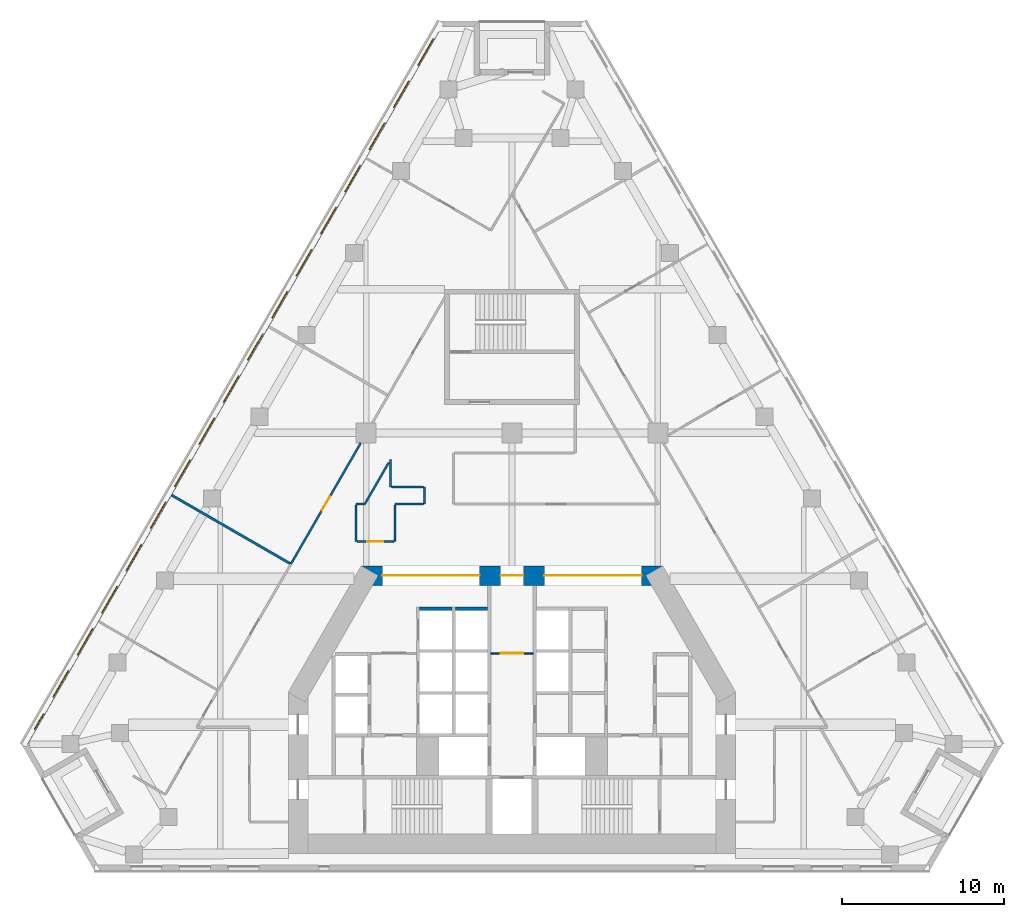
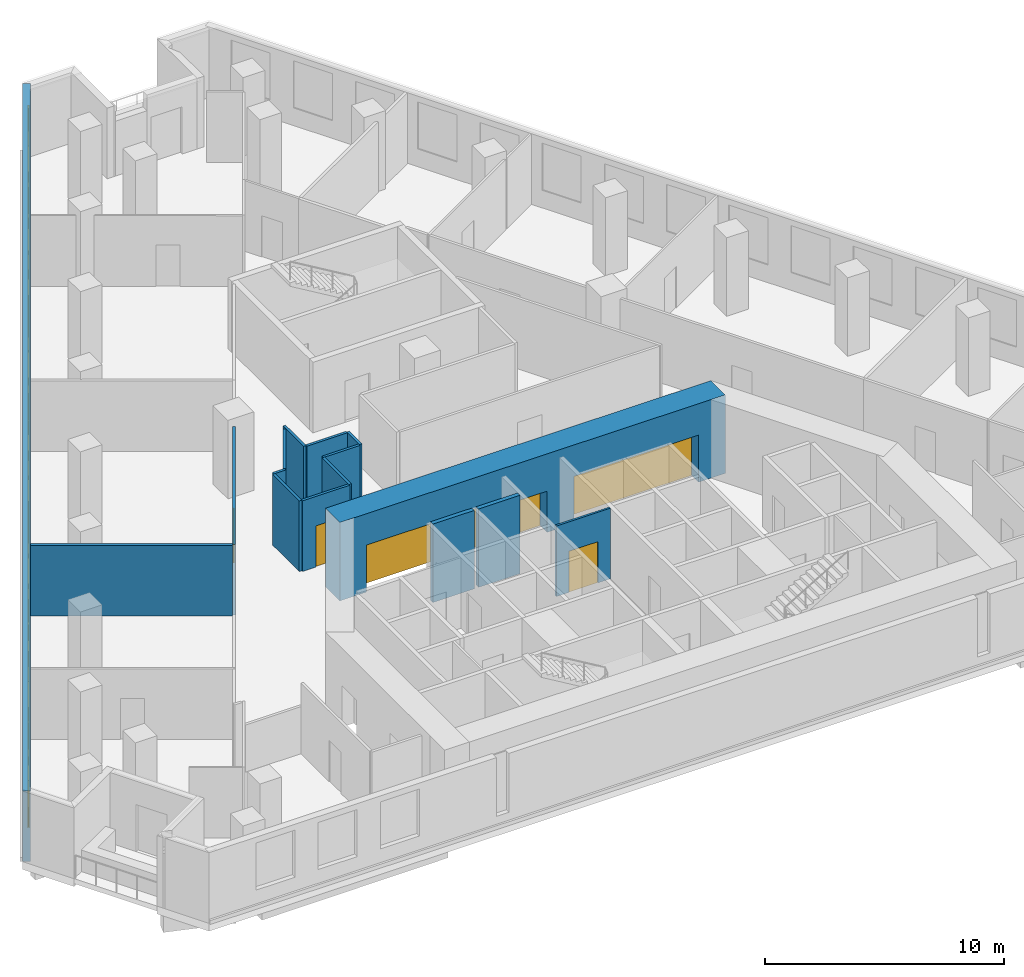
# One storey, part 5 of 10: 17 windows, 16 walls, 6 doors, 23 openings.
"""IFC4 building model written with IfcOpenShell, lengths in metres."""

import ifcopenshell
import ifcopenshell.guid

model = None  # the IFC model being written
_history = None  # IfcOwnerHistory: only IFC2X3 demands one
_inside = {}  # id of a spatial element -> (the spatial element, [elements in it])
_under = {}  # id of a project, library or spatial element -> (it, [spatial elements below it])
_declared = {}  # id of a project -> (the project, [libraries it declares])
_typed = {}  # id of a type object -> (the type object, [elements of that type])
_made_of = {}  # id of a material, layer set ... -> (it, [elements and type objects made of it])


def new_model(schema):
    """Start an empty IFC model of exactly this schema.

    Asked for "IFC4X3", IfcOpenShell would pick the latest addendum, in which some entities
    have other attributes; the version numbers below select the first issue.
    IFC2X3 requires an IfcOwnerHistory on every rooted entity: one is made here for all.
    """
    global model, _history
    if schema == "IFC4X3":
        model = ifcopenshell.file(schema_version=(4, 3, 0, 0))
    else:
        model = ifcopenshell.file(schema=schema)
    _inside.clear()
    _under.clear()
    _declared.clear()
    _typed.clear()
    _made_of.clear()
    _history = None
    if model.schema == "IFC2X3":
        org = make("IfcOrganization", Name="unknown")
        user = make(
            "IfcPersonAndOrganization",
            ThePerson=make("IfcPerson", FamilyName="unknown"),
            TheOrganization=org,
        )
        app = make(
            "IfcApplication",
            ApplicationDeveloper=org,
            Version="unknown",
            ApplicationFullName="unknown",
            ApplicationIdentifier="unknown",
        )
        _history = make(
            "IfcOwnerHistory",
            OwningUser=user,
            OwningApplication=app,
            ChangeAction="ADDED",
            CreationDate=0,
        )
    return model


def make(cls, **values):
    """One entity of the class cls with the attributes given. An attribute that is None is left unset."""
    return model.create_entity(
        cls, **{name: value for name, value in values.items() if value is not None}
    )


def rooted(cls, **values):
    """An entity with a GlobalId (a new one), such as an element, a storey or a relation."""
    return make(cls, GlobalId=ifcopenshell.guid.new(), OwnerHistory=_history, **values)


def si_unit(unit_type, name, prefix=None):
    """IfcSIUnit, for example si_unit("LENGTHUNIT", "METRE", prefix="MILLI")."""
    return make("IfcSIUnit", UnitType=unit_type, Prefix=prefix, Name=name)


def assignment(units):
    """IfcUnitAssignment: the units of a project."""
    return None if units is None else make("IfcUnitAssignment", Units=units)


def point(xyz):
    """IfcCartesianPoint."""
    return None if xyz is None else make("IfcCartesianPoint", Coordinates=xyz)


def direction(xyz):
    """IfcDirection."""
    return None if xyz is None else make("IfcDirection", DirectionRatios=xyz)


def frame(location, z_axis=None, x_axis=None):
    """IfcAxis2Placement3D, a coordinate frame: its origin and axes. An axis left out is left unset."""
    return make(
        "IfcAxis2Placement3D",
        Location=point(location),
        Axis=direction(z_axis),
        RefDirection=direction(x_axis),
    )


def frame_2d(location, x_axis=None):
    """IfcAxis2Placement2D, a coordinate frame in the plane: its origin and x axis."""
    return make(
        "IfcAxis2Placement2D", Location=point(location), RefDirection=direction(x_axis)
    )


def origin():
    """The frame at (0, 0, 0) with its axes left unset."""
    return frame((0.0, 0.0, 0.0))


def place(relative_to, where):
    """IfcLocalPlacement: puts the frame where relative to a parent placement (None: the world)."""
    return make(
        "IfcLocalPlacement", PlacementRelTo=relative_to, RelativePlacement=where
    )


def context(
    kind, dimensions, precision=None, world=None, true_north=None, identifier=None
):
    """IfcGeometricRepresentationContext, for example the 3D "Model" context."""
    return make(
        "IfcGeometricRepresentationContext",
        ContextIdentifier=identifier,
        ContextType=kind,
        CoordinateSpaceDimension=dimensions,
        Precision=precision,
        WorldCoordinateSystem=world,
        TrueNorth=true_north,
    )


def subcontext(parent, identifier, kind, view, scale=None):
    """IfcGeometricRepresentationSubContext, for example "Body" below "Model"."""
    return make(
        "IfcGeometricRepresentationSubContext",
        ContextIdentifier=identifier,
        ContextType=kind,
        ParentContext=parent,
        TargetScale=scale,
        TargetView=view,
    )


def project(units=None, contexts=None):
    """IfcProject with its units and contexts."""
    return rooted(
        "IfcProject",
        Name="project",
        RepresentationContexts=contexts,
        UnitsInContext=assignment(units),
    )


def spatial(cls, under=None, at=None, **own):
    """A site, building, storey or space (cls), placed at a placement, below another one or the project."""
    s = rooted(cls, ObjectPlacement=at, **own)
    if under is not None:
        _under.setdefault(under.id(), (under, []))[1].append(s)
    return s


def profile(cls, at=None, kind="AREA", **sizes):
    """A parametric profile (cls). Its sizes go by their IFC names, for example OverallWidth=200.0."""
    return make(cls, ProfileType=kind, Position=at, **sizes)


def rectangle(**sizes):
    """IfcRectangleProfileDef."""
    return profile("IfcRectangleProfileDef", **sizes)


def extrude(swept, where, along, depth):
    """IfcExtrudedAreaSolid: the profile swept, set in the frame where, extruded along a direction by depth."""
    return make(
        "IfcExtrudedAreaSolid",
        SweptArea=swept,
        Position=where,
        ExtrudedDirection=direction(along),
        Depth=depth,
    )


def shape(context_of_items, identifier, shape_type, items):
    """IfcShapeRepresentation: the items that make up one representation, for example the "Body"."""
    return make(
        "IfcShapeRepresentation",
        ContextOfItems=context_of_items,
        RepresentationIdentifier=identifier,
        RepresentationType=shape_type,
        Items=items,
    )


def material(Name=None, Category=None):
    """IfcMaterial."""
    return make("IfcMaterial", Name=Name, Category=Category)


def layer(
    of_material, thickness, ventilated=None, Name=None, Category=None, Priority=None
):
    """IfcMaterialLayer: one layer of a wall or slab, of a material (None: an air gap)."""
    return make(
        "IfcMaterialLayer",
        Material=of_material,
        LayerThickness=thickness,
        IsVentilated=ventilated,
        Name=Name,
        Category=Category,
        Priority=Priority,
    )


def layer_set(layers, Name=None):
    """IfcMaterialLayerSet."""
    return make("IfcMaterialLayerSet", MaterialLayers=layers, LayerSetName=Name)


def made_of(thing, what):
    """Note that an element or type object is made of a material, layer set ...; save() writes the relation."""
    if what is not None:
        _made_of.setdefault(what.id(), (what, []))[1].append(thing)
    return thing


def type_object(cls, material=None, **own):
    """A type object (cls), such as IfcWallType, which elements share."""
    return made_of(rooted(cls, **own), material)


def element(
    cls,
    number,
    at=None,
    inside=None,
    cuts=None,
    type_object=None,
    material=None,
    context=None,
    identifier="Body",
    shape_type=None,
    held_by="IfcProductDefinitionShape",
    body=None,
    shapes=None,
    **own,
):
    """One element of the class cls, such as IfcWall. Its Tag is "e" and its number.

    at: its placement. inside: the storey or other place that contains it. cuts: it is an
    opening in that element (IfcRelVoidsElement). A single representation is given by context,
    identifier, shape_type and body (its items); several are given by shapes. held_by: the class
    of the entity that holds the representations. save() writes the other relations.
    """
    e = rooted(cls, Tag="e%d" % number, ObjectPlacement=at, **own)
    if body is not None:
        shapes = [shape(context, identifier, shape_type, body)]
    if shapes is not None:
        e.Representation = make(held_by, Representations=shapes)
    if inside is not None:
        _inside.setdefault(inside.id(), (inside, []))[1].append(e)
    if cuts is not None:
        rooted(
            "IfcRelVoidsElement", RelatingBuildingElement=cuts, RelatedOpeningElement=e
        )
    if type_object is not None:
        _typed.setdefault(type_object.id(), (type_object, []))[1].append(e)
    return made_of(e, material)


def fill(opening, filler):
    """IfcRelFillsElement: the door or window that sits in an opening."""
    return rooted(
        "IfcRelFillsElement",
        RelatingOpeningElement=opening,
        RelatedBuildingElement=filler,
    )


def aggregate(whole, parts):
    """IfcRelAggregates: a whole, such as a stair, and the parts it consists of."""
    return rooted("IfcRelAggregates", RelatingObject=whole, RelatedObjects=parts)


def save(model, path):
    """Write the relations noted so far, then the file.

    IfcRelAggregates (storeys below a building ...), IfcRelContainedInSpatialStructure (elements
    in a storey), IfcRelDefinesByType, IfcRelAssociatesMaterial and IfcRelDeclares: one each for
    every whole, place, type object, material and project.
    """
    for whole, parts in _under.values():
        aggregate(whole, parts)
    for where, things in _inside.values():
        rooted(
            "IfcRelContainedInSpatialStructure",
            RelatedElements=things,
            RelatingStructure=where,
        )
    for kind, things in _typed.values():
        rooted("IfcRelDefinesByType", RelatedObjects=things, RelatingType=kind)
    for what, things in _made_of.values():
        rooted("IfcRelAssociatesMaterial", RelatedObjects=things, RelatingMaterial=what)
    for by, libraries in _declared.values():
        rooted("IfcRelDeclares", RelatingContext=by, RelatedDefinitions=libraries)
    model.write(path)


model = new_model("IFC4")

# Units and contexts
model_context = context("Model", 3, precision=1e-05, world=origin(), true_north=direction((0.0, 1.0)))
body_context = subcontext(model_context, "Body", "Model", "MODEL_VIEW")
ifc_project = project(units=[si_unit("LENGTHUNIT", "METRE"), si_unit("AREAUNIT", "SQUARE_METRE"), si_unit("VOLUMEUNIT", "CUBIC_METRE"), si_unit("PLANEANGLEUNIT", "RADIAN"), si_unit("MASSUNIT", "GRAM", prefix="KILO")], contexts=[model_context])

# Site, building, storey
site_placement = place(None, origin())
site = spatial("IfcSite", under=ifc_project, at=site_placement, CompositionType="ELEMENT")
building_placement = place(site_placement, origin())
building = spatial("IfcBuilding", under=site, at=building_placement, Name="Fogline Exchange Tower", CompositionType="ELEMENT")
storey_placement = place(building_placement, frame((0.0, 0.0, 116.10009765625)))
storey = spatial("IfcBuildingStorey", under=building, at=storey_placement, Name="L25", CompositionType="ELEMENT", Elevation=116.10009765625)

# Wall, opening, door
ifc_material_1 = material(Name="Blockwork partition", Category="masonry")
ifc_layer_1 = layer(ifc_material_1, 0.10009765625)
ifc_layer_set_1 = layer_set([ifc_layer_1], Name="CW10")
wall_type_1 = type_object("IfcWallType", Name="CW10", PredefinedType="PARTITIONING", material=ifc_layer_set_1)
wall_1_placement = place(storey_placement, frame((-1.300048828125, 13.39990234375, 0.0), z_axis=(0.0, 0.0, 1.0), x_axis=(1.0, 0.0, 0.0)))
wall_1 = element("IfcWall", 1, at=wall_1_placement, inside=storey, type_object=wall_type_1, Name="Lift lobby partition", PredefinedType="PARTITIONING", context=body_context, shape_type="SweptSolid", body=[
    extrude(rectangle(XDim=2.60009765625, YDim=0.10009765625, at=frame_2d((1.300048828125, 0.0))), origin(), (0.0, 0.0, 1.0), 3.599853515625),
])
opening_1_placement = place(wall_1_placement, frame((0.60009765625, 0.0, 0.0)))
opening_1 = element("IfcOpeningElement", 2, at=opening_1_placement, cuts=wall_1, Name="Opening T07-C018", PredefinedType="OPENING", context=body_context, shape_type="SweptSolid", body=[
    extrude(rectangle(XDim=1.39990234375, YDim=2.10009765625, at=frame_2d((0.699951171875, 1.050048828125))), frame((0.0, 0.06005859375, 0.0), z_axis=(0.0, -1.0, 0.0), x_axis=(1.0, 0.0, 0.0)), (0.0, 0.0, 1.0), 0.1201171875),
])
ifc_material_2 = material(Name="Steel and timber fire door", Category="steel")
door_type_1 = type_object("IfcDoorType", Name="D-LB1", OperationType="DOUBLE_DOOR_SINGLE_SWING", PredefinedType="DOOR", material=ifc_material_2)
door_1_placement = place(opening_1_placement, origin())
door_1 = element("IfcDoor", 3, at=door_1_placement, inside=storey, type_object=door_type_1, Name="Door to firefighting lift lobby", OperationType="DOUBLE_DOOR_SINGLE_SWING", OverallHeight=2.10009765625, OverallWidth=1.39990234375, PredefinedType="DOOR", context=body_context, shape_type="SweptSolid", body=[
    extrude(rectangle(XDim=1.39990234375, YDim=2.10009765625, at=frame_2d((0.699951171875, 1.050048828125))), frame((0.0, 0.02490234375, 0.0), z_axis=(0.0, -1.0, 0.0), x_axis=(1.0, 0.0, 0.0)), (0.0, 0.0, 1.0), 0.050048828125),
])
fill(opening_1, door_1)

# Walls
ifc_material_3 = material(Name="Concrete C40", Category="concrete")
ifc_layer_2 = layer(ifc_material_3, 0.199951171875)
ifc_layer_set_2 = layer_set([ifc_layer_2], Name="CW20S")
wall_type_2 = type_object("IfcWallType", Name="CW20S", PredefinedType="SOLIDWALL", material=ifc_layer_set_2)
for number, where, z_axis, x_axis, name in (
    (4, (-5.699951171875, 16.14990234375, -0.400146484375), (0.0, 0.0, 1.0), (1.0, 0.0, 0.0), "Lift shaft wall"),
    (5, (-3.5, 16.14990234375, -0.400146484375), (0.0, 0.0, 1.0), (1.0, 0.0, 0.0), "Lift shaft wall"),
):
    element("IfcWall", number, at=place(storey_placement, frame(where, z_axis=z_axis, x_axis=x_axis)), inside=storey, type_object=wall_type_2, Name=name, PredefinedType="SOLIDWALL", context=body_context, shape_type="SweptSolid", body=[
        extrude(rectangle(XDim=2.0, YDim=0.199951171875, at=frame_2d((1.0, 0.0))), origin(), (0.0, 0.0, 1.0), 4.0),
    ])

# Wall, openings, windows
ifc_material_4 = material(Name="Brick masonry", Category="masonry")
ifc_layer_3 = layer(ifc_material_4, 0.340087890625)
ifc_layer_set_3 = layer_set([ifc_layer_3], Name="FW1")
wall_type_3 = type_object("IfcWallType", Name="FW1", PredefinedType="SOLIDWALL", material=ifc_layer_set_3)
wall_2_placement = place(storey_placement, frame((-4.352783203125, 52.336669921875, 0.0), z_axis=(0.0, 0.0, 1.0), x_axis=(-0.49999941333, -0.866025742498, 0.0)))
wall_2 = element("IfcWall", 6, at=wall_2_placement, inside=storey, type_object=wall_type_3, Name="Brick wall L25 W", PredefinedType="SOLIDWALL", context=body_context, shape_type="SweptSolid", body=[
    extrude(rectangle(XDim=51.53125, YDim=0.340087890625, at=frame_2d((25.765625, 0.0))), origin(), (0.0, 0.0, 1.0), 3.599853515625),
])
opening_2_placement = place(wall_2_placement, frame((1.1484375, 0.0, 0.89990234375)))
opening_2 = element("IfcOpeningElement", 7, at=opening_2_placement, cuts=wall_2, Name="Opening W1", PredefinedType="OPENING", context=body_context, shape_type="SweptSolid", body=[
    extrude(rectangle(XDim=1.885009765625, YDim=2.39990234375, at=frame_2d((0.9423828125, 1.199951171875))), frame((0.0, 0.18017578125, 0.0), z_axis=(0.0, -1.0, 0.0), x_axis=(1.0, 0.0, 0.0)), (0.0, 0.0, 1.0), 0.360107421875),
])
opening_3_placement = place(wall_2_placement, frame((4.1484375, 0.0, 0.89990234375)))
opening_3 = element("IfcOpeningElement", 8, at=opening_3_placement, cuts=wall_2, Name="Opening W1", PredefinedType="OPENING", context=body_context, shape_type="SweptSolid", body=[
    extrude(rectangle(XDim=1.885009765625, YDim=2.39990234375, at=frame_2d((0.9423828125, 1.199951171875))), frame((0.0, 0.18017578125, 0.0), z_axis=(0.0, -1.0, 0.0), x_axis=(1.0, 0.0, 0.0)), (0.0, 0.0, 1.0), 0.360107421875),
])
opening_4_placement = place(wall_2_placement, frame((7.1484375, 0.0, 0.89990234375)))
opening_4 = element("IfcOpeningElement", 9, at=opening_4_placement, cuts=wall_2, Name="Opening W1", PredefinedType="OPENING", context=body_context, shape_type="SweptSolid", body=[
    extrude(rectangle(XDim=1.885009765625, YDim=2.39990234375, at=frame_2d((0.9423828125, 1.199951171875))), frame((0.0, 0.18017578125, 0.0), z_axis=(0.0, -1.0, 0.0), x_axis=(1.0, 0.0, 0.0)), (0.0, 0.0, 1.0), 0.360107421875),
])
opening_5_placement = place(wall_2_placement, frame((10.1484375, 0.0, 0.89990234375)))
opening_5 = element("IfcOpeningElement", 10, at=opening_5_placement, cuts=wall_2, Name="Opening W1", PredefinedType="OPENING", context=body_context, shape_type="SweptSolid", body=[
    extrude(rectangle(XDim=1.885009765625, YDim=2.39990234375, at=frame_2d((0.9423828125, 1.199951171875))), frame((0.0, 0.18017578125, 0.0), z_axis=(0.0, -1.0, 0.0), x_axis=(1.0, 0.0, 0.0)), (0.0, 0.0, 1.0), 0.360107421875),
])
opening_6_placement = place(wall_2_placement, frame((13.1484375, 0.0, 0.89990234375)))
opening_6 = element("IfcOpeningElement", 11, at=opening_6_placement, cuts=wall_2, Name="Opening W1", PredefinedType="OPENING", context=body_context, shape_type="SweptSolid", body=[
    extrude(rectangle(XDim=1.885009765625, YDim=2.39990234375, at=frame_2d((0.9423828125, 1.199951171875))), frame((0.0, 0.18017578125, 0.0), z_axis=(0.0, -1.0, 0.0), x_axis=(1.0, 0.0, 0.0)), (0.0, 0.0, 1.0), 0.360107421875),
])
opening_7_placement = place(wall_2_placement, frame((16.1484375, 0.0, 0.89990234375)))
opening_7 = element("IfcOpeningElement", 12, at=opening_7_placement, cuts=wall_2, Name="Opening W1", PredefinedType="OPENING", context=body_context, shape_type="SweptSolid", body=[
    extrude(rectangle(XDim=1.885009765625, YDim=2.39990234375, at=frame_2d((0.9423828125, 1.199951171875))), frame((0.0, 0.18017578125, 0.0), z_axis=(0.0, -1.0, 0.0), x_axis=(1.0, 0.0, 0.0)), (0.0, 0.0, 1.0), 0.360107421875),
])
opening_8_placement = place(wall_2_placement, frame((19.1484375, 0.0, 0.89990234375)))
opening_8 = element("IfcOpeningElement", 13, at=opening_8_placement, cuts=wall_2, Name="Opening W1", PredefinedType="OPENING", context=body_context, shape_type="SweptSolid", body=[
    extrude(rectangle(XDim=1.885009765625, YDim=2.39990234375, at=frame_2d((0.9423828125, 1.199951171875))), frame((0.0, 0.18017578125, 0.0), z_axis=(0.0, -1.0, 0.0), x_axis=(1.0, 0.0, 0.0)), (0.0, 0.0, 1.0), 0.360107421875),
])
opening_9_placement = place(wall_2_placement, frame((22.1484375, 0.0, 0.89990234375)))
opening_9 = element("IfcOpeningElement", 14, at=opening_9_placement, cuts=wall_2, Name="Opening W1", PredefinedType="OPENING", context=body_context, shape_type="SweptSolid", body=[
    extrude(rectangle(XDim=1.885009765625, YDim=2.39990234375, at=frame_2d((0.9423828125, 1.199951171875))), frame((0.0, 0.18017578125, 0.0), z_axis=(0.0, -1.0, 0.0), x_axis=(1.0, 0.0, 0.0)), (0.0, 0.0, 1.0), 0.360107421875),
])
opening_10_placement = place(wall_2_placement, frame((25.1484375, 0.0, 0.89990234375)))
opening_10 = element("IfcOpeningElement", 15, at=opening_10_placement, cuts=wall_2, Name="Opening W1", PredefinedType="OPENING", context=body_context, shape_type="SweptSolid", body=[
    extrude(rectangle(XDim=1.885009765625, YDim=2.39990234375, at=frame_2d((0.9423828125, 1.199951171875))), frame((0.0, 0.18017578125, 0.0), z_axis=(0.0, -1.0, 0.0), x_axis=(1.0, 0.0, 0.0)), (0.0, 0.0, 1.0), 0.360107421875),
])
opening_11_placement = place(wall_2_placement, frame((28.1484375, 0.0, 0.89990234375)))
opening_11 = element("IfcOpeningElement", 16, at=opening_11_placement, cuts=wall_2, Name="Opening W1", PredefinedType="OPENING", context=body_context, shape_type="SweptSolid", body=[
    extrude(rectangle(XDim=1.885009765625, YDim=2.39990234375, at=frame_2d((0.9423828125, 1.199951171875))), frame((0.0, 0.18017578125, 0.0), z_axis=(0.0, -1.0, 0.0), x_axis=(1.0, 0.0, 0.0)), (0.0, 0.0, 1.0), 0.360107421875),
])
opening_12_placement = place(wall_2_placement, frame((31.1484375, 0.0, 0.89990234375)))
opening_12 = element("IfcOpeningElement", 17, at=opening_12_placement, cuts=wall_2, Name="Opening W1", PredefinedType="OPENING", context=body_context, shape_type="SweptSolid", body=[
    extrude(rectangle(XDim=1.885009765625, YDim=2.39990234375, at=frame_2d((0.9423828125, 1.199951171875))), frame((0.0, 0.18017578125, 0.0), z_axis=(0.0, -1.0, 0.0), x_axis=(1.0, 0.0, 0.0)), (0.0, 0.0, 1.0), 0.360107421875),
])
opening_13_placement = place(wall_2_placement, frame((34.1484375, 0.0, 0.89990234375)))
opening_13 = element("IfcOpeningElement", 18, at=opening_13_placement, cuts=wall_2, Name="Opening W1", PredefinedType="OPENING", context=body_context, shape_type="SweptSolid", body=[
    extrude(rectangle(XDim=1.885009765625, YDim=2.39990234375, at=frame_2d((0.9423828125, 1.199951171875))), frame((0.0, 0.18017578125, 0.0), z_axis=(0.0, -1.0, 0.0), x_axis=(1.0, 0.0, 0.0)), (0.0, 0.0, 1.0), 0.360107421875),
])
opening_14_placement = place(wall_2_placement, frame((37.1484375, 0.0, 0.89990234375)))
opening_14 = element("IfcOpeningElement", 19, at=opening_14_placement, cuts=wall_2, Name="Opening W1", PredefinedType="OPENING", context=body_context, shape_type="SweptSolid", body=[
    extrude(rectangle(XDim=1.885009765625, YDim=2.39990234375, at=frame_2d((0.9423828125, 1.199951171875))), frame((0.0, 0.18017578125, 0.0), z_axis=(0.0, -1.0, 0.0), x_axis=(1.0, 0.0, 0.0)), (0.0, 0.0, 1.0), 0.360107421875),
])
opening_15_placement = place(wall_2_placement, frame((40.1484375, 0.0, 0.89990234375)))
opening_15 = element("IfcOpeningElement", 20, at=opening_15_placement, cuts=wall_2, Name="Opening W1", PredefinedType="OPENING", context=body_context, shape_type="SweptSolid", body=[
    extrude(rectangle(XDim=1.885009765625, YDim=2.39990234375, at=frame_2d((0.9423828125, 1.199951171875))), frame((0.0, 0.18017578125, 0.0), z_axis=(0.0, -1.0, 0.0), x_axis=(1.0, 0.0, 0.0)), (0.0, 0.0, 1.0), 0.360107421875),
])
opening_16_placement = place(wall_2_placement, frame((43.1484375, 0.0, 0.89990234375)))
opening_16 = element("IfcOpeningElement", 21, at=opening_16_placement, cuts=wall_2, Name="Opening W1", PredefinedType="OPENING", context=body_context, shape_type="SweptSolid", body=[
    extrude(rectangle(XDim=1.885009765625, YDim=2.39990234375, at=frame_2d((0.9423828125, 1.199951171875))), frame((0.0, 0.18017578125, 0.0), z_axis=(0.0, -1.0, 0.0), x_axis=(1.0, 0.0, 0.0)), (0.0, 0.0, 1.0), 0.360107421875),
])
opening_17_placement = place(wall_2_placement, frame((46.1484375, 0.0, 0.89990234375)))
opening_17 = element("IfcOpeningElement", 22, at=opening_17_placement, cuts=wall_2, Name="Opening W1", PredefinedType="OPENING", context=body_context, shape_type="SweptSolid", body=[
    extrude(rectangle(XDim=1.885009765625, YDim=2.39990234375, at=frame_2d((0.9423828125, 1.199951171875))), frame((0.0, 0.18017578125, 0.0), z_axis=(0.0, -1.0, 0.0), x_axis=(1.0, 0.0, 0.0)), (0.0, 0.0, 1.0), 0.360107421875),
])
opening_18_placement = place(wall_2_placement, frame((49.224853515625, 0.0, 0.89990234375)))
opening_18 = element("IfcOpeningElement", 23, at=opening_18_placement, cuts=wall_2, Name="Opening W4", PredefinedType="OPENING", context=body_context, shape_type="SweptSolid", body=[
    extrude(rectangle(XDim=1.114990234375, YDim=2.39990234375, at=frame_2d((0.5576171875, 1.199951171875))), frame((0.0, 0.18017578125, 0.0), z_axis=(0.0, -1.0, 0.0), x_axis=(1.0, 0.0, 0.0)), (0.0, 0.0, 1.0), 0.360107421875),
])
ifc_material_5 = material(Name="Aluminium and glass", Category="aluminium")
window_type_1 = type_object("IfcWindowType", Name="W1", PartitioningType="SINGLE_PANEL", PredefinedType="WINDOW", material=ifc_material_5)
window_1_placement = place(opening_2_placement, origin())
window_1 = element("IfcWindow", 24, at=window_1_placement, inside=storey, type_object=window_type_1, Name="W1 W1", OverallHeight=2.39990234375, OverallWidth=1.885009765625, PartitioningType="SINGLE_PANEL", PredefinedType="WINDOW", context=body_context, shape_type="SweptSolid", body=[
    extrude(rectangle(XDim=1.885009765625, YDim=2.39990234375, at=frame_2d((0.9423828125, 1.199951171875))), frame((0.0, 0.110107421875, 0.0), z_axis=(0.0, -1.0, 0.0), x_axis=(1.0, 0.0, 0.0)), (0.0, 0.0, 1.0), 0.06005859375),
])
fill(opening_2, window_1)
window_2_placement = place(opening_3_placement, origin())
window_2 = element("IfcWindow", 25, at=window_2_placement, inside=storey, type_object=window_type_1, Name="W1 W1", OverallHeight=2.39990234375, OverallWidth=1.885009765625, PartitioningType="SINGLE_PANEL", PredefinedType="WINDOW", context=body_context, shape_type="SweptSolid", body=[
    extrude(rectangle(XDim=1.885009765625, YDim=2.39990234375, at=frame_2d((0.9423828125, 1.199951171875))), frame((0.0, 0.110107421875, 0.0), z_axis=(0.0, -1.0, 0.0), x_axis=(1.0, 0.0, 0.0)), (0.0, 0.0, 1.0), 0.06005859375),
])
fill(opening_3, window_2)
window_3_placement = place(opening_4_placement, origin())
window_3 = element("IfcWindow", 26, at=window_3_placement, inside=storey, type_object=window_type_1, Name="W1 W1", OverallHeight=2.39990234375, OverallWidth=1.885009765625, PartitioningType="SINGLE_PANEL", PredefinedType="WINDOW", context=body_context, shape_type="SweptSolid", body=[
    extrude(rectangle(XDim=1.885009765625, YDim=2.39990234375, at=frame_2d((0.9423828125, 1.199951171875))), frame((0.0, 0.110107421875, 0.0), z_axis=(0.0, -1.0, 0.0), x_axis=(1.0, 0.0, 0.0)), (0.0, 0.0, 1.0), 0.06005859375),
])
fill(opening_4, window_3)
window_4_placement = place(opening_5_placement, origin())
window_4 = element("IfcWindow", 27, at=window_4_placement, inside=storey, type_object=window_type_1, Name="W1 W1", OverallHeight=2.39990234375, OverallWidth=1.885009765625, PartitioningType="SINGLE_PANEL", PredefinedType="WINDOW", context=body_context, shape_type="SweptSolid", body=[
    extrude(rectangle(XDim=1.885009765625, YDim=2.39990234375, at=frame_2d((0.9423828125, 1.199951171875))), frame((0.0, 0.110107421875, 0.0), z_axis=(0.0, -1.0, 0.0), x_axis=(1.0, 0.0, 0.0)), (0.0, 0.0, 1.0), 0.06005859375),
])
fill(opening_5, window_4)
window_5_placement = place(opening_6_placement, origin())
window_5 = element("IfcWindow", 28, at=window_5_placement, inside=storey, type_object=window_type_1, Name="W1 W1", OverallHeight=2.39990234375, OverallWidth=1.885009765625, PartitioningType="SINGLE_PANEL", PredefinedType="WINDOW", context=body_context, shape_type="SweptSolid", body=[
    extrude(rectangle(XDim=1.885009765625, YDim=2.39990234375, at=frame_2d((0.9423828125, 1.199951171875))), frame((0.0, 0.110107421875, 0.0), z_axis=(0.0, -1.0, 0.0), x_axis=(1.0, 0.0, 0.0)), (0.0, 0.0, 1.0), 0.06005859375),
])
fill(opening_6, window_5)
window_6_placement = place(opening_7_placement, origin())
window_6 = element("IfcWindow", 29, at=window_6_placement, inside=storey, type_object=window_type_1, Name="W1 W1", OverallHeight=2.39990234375, OverallWidth=1.885009765625, PartitioningType="SINGLE_PANEL", PredefinedType="WINDOW", context=body_context, shape_type="SweptSolid", body=[
    extrude(rectangle(XDim=1.885009765625, YDim=2.39990234375, at=frame_2d((0.9423828125, 1.199951171875))), frame((0.0, 0.110107421875, 0.0), z_axis=(0.0, -1.0, 0.0), x_axis=(1.0, 0.0, 0.0)), (0.0, 0.0, 1.0), 0.06005859375),
])
fill(opening_7, window_6)
window_7_placement = place(opening_8_placement, origin())
window_7 = element("IfcWindow", 30, at=window_7_placement, inside=storey, type_object=window_type_1, Name="W1 W1", OverallHeight=2.39990234375, OverallWidth=1.885009765625, PartitioningType="SINGLE_PANEL", PredefinedType="WINDOW", context=body_context, shape_type="SweptSolid", body=[
    extrude(rectangle(XDim=1.885009765625, YDim=2.39990234375, at=frame_2d((0.9423828125, 1.199951171875))), frame((0.0, 0.110107421875, 0.0), z_axis=(0.0, -1.0, 0.0), x_axis=(1.0, 0.0, 0.0)), (0.0, 0.0, 1.0), 0.06005859375),
])
fill(opening_8, window_7)
window_8_placement = place(opening_9_placement, origin())
window_8 = element("IfcWindow", 31, at=window_8_placement, inside=storey, type_object=window_type_1, Name="W1 W1", OverallHeight=2.39990234375, OverallWidth=1.885009765625, PartitioningType="SINGLE_PANEL", PredefinedType="WINDOW", context=body_context, shape_type="SweptSolid", body=[
    extrude(rectangle(XDim=1.885009765625, YDim=2.39990234375, at=frame_2d((0.9423828125, 1.199951171875))), frame((0.0, 0.110107421875, 0.0), z_axis=(0.0, -1.0, 0.0), x_axis=(1.0, 0.0, 0.0)), (0.0, 0.0, 1.0), 0.06005859375),
])
fill(opening_9, window_8)
window_9_placement = place(opening_10_placement, origin())
window_9 = element("IfcWindow", 32, at=window_9_placement, inside=storey, type_object=window_type_1, Name="W1 W1", OverallHeight=2.39990234375, OverallWidth=1.885009765625, PartitioningType="SINGLE_PANEL", PredefinedType="WINDOW", context=body_context, shape_type="SweptSolid", body=[
    extrude(rectangle(XDim=1.885009765625, YDim=2.39990234375, at=frame_2d((0.9423828125, 1.199951171875))), frame((0.0, 0.110107421875, 0.0), z_axis=(0.0, -1.0, 0.0), x_axis=(1.0, 0.0, 0.0)), (0.0, 0.0, 1.0), 0.06005859375),
])
fill(opening_10, window_9)
window_10_placement = place(opening_11_placement, origin())
window_10 = element("IfcWindow", 33, at=window_10_placement, inside=storey, type_object=window_type_1, Name="W1 W1", OverallHeight=2.39990234375, OverallWidth=1.885009765625, PartitioningType="SINGLE_PANEL", PredefinedType="WINDOW", context=body_context, shape_type="SweptSolid", body=[
    extrude(rectangle(XDim=1.885009765625, YDim=2.39990234375, at=frame_2d((0.9423828125, 1.199951171875))), frame((0.0, 0.110107421875, 0.0), z_axis=(0.0, -1.0, 0.0), x_axis=(1.0, 0.0, 0.0)), (0.0, 0.0, 1.0), 0.06005859375),
])
fill(opening_11, window_10)
window_11_placement = place(opening_12_placement, origin())
window_11 = element("IfcWindow", 34, at=window_11_placement, inside=storey, type_object=window_type_1, Name="W1 W1", OverallHeight=2.39990234375, OverallWidth=1.885009765625, PartitioningType="SINGLE_PANEL", PredefinedType="WINDOW", context=body_context, shape_type="SweptSolid", body=[
    extrude(rectangle(XDim=1.885009765625, YDim=2.39990234375, at=frame_2d((0.9423828125, 1.199951171875))), frame((0.0, 0.110107421875, 0.0), z_axis=(0.0, -1.0, 0.0), x_axis=(1.0, 0.0, 0.0)), (0.0, 0.0, 1.0), 0.06005859375),
])
fill(opening_12, window_11)
window_12_placement = place(opening_13_placement, origin())
window_12 = element("IfcWindow", 35, at=window_12_placement, inside=storey, type_object=window_type_1, Name="W1 W1", OverallHeight=2.39990234375, OverallWidth=1.885009765625, PartitioningType="SINGLE_PANEL", PredefinedType="WINDOW", context=body_context, shape_type="SweptSolid", body=[
    extrude(rectangle(XDim=1.885009765625, YDim=2.39990234375, at=frame_2d((0.9423828125, 1.199951171875))), frame((0.0, 0.110107421875, 0.0), z_axis=(0.0, -1.0, 0.0), x_axis=(1.0, 0.0, 0.0)), (0.0, 0.0, 1.0), 0.06005859375),
])
fill(opening_13, window_12)
window_13_placement = place(opening_14_placement, origin())
window_13 = element("IfcWindow", 36, at=window_13_placement, inside=storey, type_object=window_type_1, Name="W1 W1", OverallHeight=2.39990234375, OverallWidth=1.885009765625, PartitioningType="SINGLE_PANEL", PredefinedType="WINDOW", context=body_context, shape_type="SweptSolid", body=[
    extrude(rectangle(XDim=1.885009765625, YDim=2.39990234375, at=frame_2d((0.9423828125, 1.199951171875))), frame((0.0, 0.110107421875, 0.0), z_axis=(0.0, -1.0, 0.0), x_axis=(1.0, 0.0, 0.0)), (0.0, 0.0, 1.0), 0.06005859375),
])
fill(opening_14, window_13)
window_14_placement = place(opening_15_placement, origin())
window_14 = element("IfcWindow", 37, at=window_14_placement, inside=storey, type_object=window_type_1, Name="W1 W1", OverallHeight=2.39990234375, OverallWidth=1.885009765625, PartitioningType="SINGLE_PANEL", PredefinedType="WINDOW", context=body_context, shape_type="SweptSolid", body=[
    extrude(rectangle(XDim=1.885009765625, YDim=2.39990234375, at=frame_2d((0.9423828125, 1.199951171875))), frame((0.0, 0.110107421875, 0.0), z_axis=(0.0, -1.0, 0.0), x_axis=(1.0, 0.0, 0.0)), (0.0, 0.0, 1.0), 0.06005859375),
])
fill(opening_15, window_14)
window_15_placement = place(opening_16_placement, origin())
window_15 = element("IfcWindow", 38, at=window_15_placement, inside=storey, type_object=window_type_1, Name="W1 W1", OverallHeight=2.39990234375, OverallWidth=1.885009765625, PartitioningType="SINGLE_PANEL", PredefinedType="WINDOW", context=body_context, shape_type="SweptSolid", body=[
    extrude(rectangle(XDim=1.885009765625, YDim=2.39990234375, at=frame_2d((0.9423828125, 1.199951171875))), frame((0.0, 0.110107421875, 0.0), z_axis=(0.0, -1.0, 0.0), x_axis=(1.0, 0.0, 0.0)), (0.0, 0.0, 1.0), 0.06005859375),
])
fill(opening_16, window_15)
window_16_placement = place(opening_17_placement, origin())
window_16 = element("IfcWindow", 39, at=window_16_placement, inside=storey, type_object=window_type_1, Name="W1 W1", OverallHeight=2.39990234375, OverallWidth=1.885009765625, PartitioningType="SINGLE_PANEL", PredefinedType="WINDOW", context=body_context, shape_type="SweptSolid", body=[
    extrude(rectangle(XDim=1.885009765625, YDim=2.39990234375, at=frame_2d((0.9423828125, 1.199951171875))), frame((0.0, 0.110107421875, 0.0), z_axis=(0.0, -1.0, 0.0), x_axis=(1.0, 0.0, 0.0)), (0.0, 0.0, 1.0), 0.06005859375),
])
fill(opening_17, window_16)
window_type_2 = type_object("IfcWindowType", Name="W4", PartitioningType="SINGLE_PANEL", PredefinedType="WINDOW", material=ifc_material_5)
window_17_placement = place(opening_18_placement, origin())
window_17 = element("IfcWindow", 40, at=window_17_placement, inside=storey, type_object=window_type_2, Name="W4 W4", OverallHeight=2.39990234375, OverallWidth=1.114990234375, PartitioningType="SINGLE_PANEL", PredefinedType="WINDOW", context=body_context, shape_type="SweptSolid", body=[
    extrude(rectangle(XDim=1.114990234375, YDim=2.39990234375, at=frame_2d((0.5576171875, 1.199951171875))), frame((0.0, 0.110107421875, 0.0), z_axis=(0.0, -1.0, 0.0), x_axis=(1.0, 0.0, 0.0)), (0.0, 0.0, 1.0), 0.06005859375),
])
fill(opening_18, window_17)

# Wall
ifc_material_6 = material(Name="Plasterboard corridor partition with mineral wool, 2 layers each side")
ifc_layer_4 = layer(ifc_material_6, 0.125)
ifc_layer_set_4 = layer_set([ifc_layer_4], Name="PW2")
wall_type_4 = type_object("IfcWallType", Name="PW2", PredefinedType="PARTITIONING", material=ifc_layer_set_4)
wall_3_placement = place(storey_placement, frame((-9.629638671875, 22.53759765625, 0.0), z_axis=(0.0, 0.0, 1.0), x_axis=(0.0, -1.0, 0.0)))
element("IfcWall", 41, at=wall_3_placement, inside=storey, type_object=wall_type_4, Name="wall-L25-W004", PredefinedType="PARTITIONING", context=body_context, shape_type="SweptSolid", body=[
    extrude(rectangle(XDim=2.237548828125, YDim=0.125, at=frame_2d((1.11865234375, 0.0))), origin(), (0.0, 0.0, 1.0), 3.599853515625),
])

# Wall, opening, door
wall_4_placement = place(storey_placement, frame((-9.567138671875, 20.300048828125, 0.0), z_axis=(0.0, 0.0, 1.0), x_axis=(1.0, 0.0, 0.0)))
wall_4 = element("IfcWall", 42, at=wall_4_placement, inside=storey, type_object=wall_type_4, Name="wall-L25-W005", PredefinedType="PARTITIONING", context=body_context, shape_type="SweptSolid", body=[
    extrude(rectangle(XDim=2.275146484375, YDim=0.125, at=frame_2d((1.1376953125, 0.0))), origin(), (0.0, 0.0, 1.0), 3.599853515625),
])
opening_19_placement = place(wall_4_placement, frame((0.637451171875, 0.0, 0.0)))
opening_19 = element("IfcOpeningElement", 43, at=opening_19_placement, cuts=wall_4, Name="Opening T07-D003", PredefinedType="OPENING", context=body_context, shape_type="SweptSolid", body=[
    extrude(rectangle(XDim=1.0, YDim=2.10009765625, at=frame_2d((0.5, 1.050048828125))), frame((0.0, 0.072509765625, 0.0), z_axis=(0.0, -1.0, 0.0), x_axis=(1.0, 0.0, 0.0)), (0.0, 0.0, 1.0), 0.14501953125),
])
ifc_material_7 = material(Name="Fire-rated timber door leaf with steel frame", Category="steel")
door_type_2 = type_object("IfcDoorType", Name="D3", OperationType="SINGLE_SWING_LEFT", PredefinedType="DOOR", material=ifc_material_7)
door_2_placement = place(opening_19_placement, origin())
door_2 = element("IfcDoor", 44, at=door_2_placement, inside=storey, type_object=door_type_2, Name="door-L25-D003", OperationType="SINGLE_SWING_LEFT", OverallHeight=2.10009765625, OverallWidth=1.0, PredefinedType="DOOR", context=body_context, shape_type="SweptSolid", body=[
    extrude(rectangle(XDim=1.0, YDim=2.10009765625, at=frame_2d((0.5, 1.050048828125))), frame((0.0, 0.02490234375, 0.0), z_axis=(0.0, -1.0, 0.0), x_axis=(1.0, 0.0, 0.0)), (0.0, 0.0, 1.0), 0.050048828125),
])
fill(opening_19, door_2)

# Walls
wall_5_placement = place(storey_placement, frame((-7.2294921875, 20.300048828125, 0.0), z_axis=(0.0, 0.0, 1.0), x_axis=(0.0, 1.0, 0.0)))
element("IfcWall", 45, at=wall_5_placement, inside=storey, type_object=wall_type_4, Name="wall-L25-W006", PredefinedType="PARTITIONING", context=body_context, shape_type="SweptSolid", body=[
    extrude(rectangle(XDim=2.237548828125, YDim=0.125, at=frame_2d((1.11865234375, 0.0))), origin(), (0.0, 0.0, 1.0), 3.599853515625),
])
wall_6_placement = place(storey_placement, frame((-7.2294921875, 22.60009765625, 0.0), z_axis=(0.0, 0.0, 1.0), x_axis=(1.0, 0.0, 0.0)))
element("IfcWall", 46, at=wall_6_placement, inside=storey, type_object=wall_type_4, Name="wall-L25-W007", PredefinedType="PARTITIONING", context=body_context, shape_type="SweptSolid", body=[
    extrude(rectangle(XDim=1.76708984375, YDim=0.125, at=frame_2d((0.883544921875, 0.0))), origin(), (0.0, 0.0, 1.0), 3.599853515625),
])

# Wall, opening, door
wall_7_placement = place(storey_placement, frame((-13.639892578125, 18.910888671875, 0.0), z_axis=(0.0, 0.0, 1.0), x_axis=(0.499992993823, 0.866029448765, 0.0)))
wall_7 = element("IfcWall", 47, at=wall_7_placement, inside=storey, type_object=wall_type_4, Name="wall-L25-W011", PredefinedType="PARTITIONING", context=body_context, shape_type="SweptSolid", body=[
    extrude(rectangle(XDim=8.61865234375, YDim=0.125, at=frame_2d((4.309326171875, 0.0))), origin(), (0.0, 0.0, 1.0), 3.599853515625),
])
opening_20_placement = place(wall_7_placement, frame((3.809326171875, 0.0, 0.0)))
opening_20 = element("IfcOpeningElement", 48, at=opening_20_placement, cuts=wall_7, Name="Opening T07-D006", PredefinedType="OPENING", context=body_context, shape_type="SweptSolid", body=[
    extrude(rectangle(XDim=1.0, YDim=2.10009765625, at=frame_2d((0.5, 1.050048828125))), frame((0.0, 0.072509765625, 0.0), z_axis=(0.0, -1.0, 0.0), x_axis=(1.0, 0.0, 0.0)), (0.0, 0.0, 1.0), 0.14501953125),
])
door_3_placement = place(opening_20_placement, origin())
door_3 = element("IfcDoor", 49, at=door_3_placement, inside=storey, type_object=door_type_2, Name="door-L25-D006", OperationType="SINGLE_SWING_LEFT", OverallHeight=2.10009765625, OverallWidth=1.0, PredefinedType="DOOR", context=body_context, shape_type="SweptSolid", body=[
    extrude(rectangle(XDim=1.0, YDim=2.10009765625, at=frame_2d((0.5, 1.050048828125))), frame((0.0, 0.02490234375, 0.0), z_axis=(0.0, -1.0, 0.0), x_axis=(1.0, 0.0, 0.0)), (0.0, 0.0, 1.0), 0.050048828125),
])
fill(opening_20, door_3)

# Walls
wall_8_placement = place(storey_placement, frame((-7.602294921875, 25.16796875, 0.0), z_axis=(0.0, 0.0, 1.0), x_axis=(-0.500077942386, -0.86598039905, 0.0)))
element("IfcWall", 50, at=wall_8_placement, inside=storey, type_object=wall_type_4, Name="wall-L25-W013", PredefinedType="PARTITIONING", context=body_context, shape_type="SweptSolid", body=[
    extrude(rectangle(XDim=2.89306640625, YDim=0.125, at=frame_2d((1.446533203125, 0.0))), origin(), (0.0, 0.0, 1.0), 3.599853515625),
])
wall_9_placement = place(storey_placement, frame((-9.04833984375, 22.60009765625, 0.0), z_axis=(0.0, 0.0, 1.0), x_axis=(-1.0, 0.0, 0.0)))
element("IfcWall", 51, at=wall_9_placement, inside=storey, type_object=wall_type_4, Name="wall-L25-W014", PredefinedType="PARTITIONING", context=body_context, shape_type="SweptSolid", body=[
    extrude(rectangle(XDim=0.581298828125, YDim=0.125, at=frame_2d((0.29052734375, 0.0))), origin(), (0.0, 0.0, 1.0), 3.599853515625),
])
wall_10_placement = place(storey_placement, frame((-7.485595703125, 23.656982421875, 0.0), z_axis=(0.0, 0.0, 1.0), x_axis=(0.0, 1.0, 0.0)))
element("IfcWall", 52, at=wall_10_placement, inside=storey, type_object=wall_type_4, Name="wall-L25-W029", PredefinedType="PARTITIONING", context=body_context, shape_type="SweptSolid", body=[
    extrude(rectangle(XDim=1.71337890625, YDim=0.125, at=frame_2d((0.856689453125, 0.0))), origin(), (0.0, 0.0, 1.0), 3.599853515625),
])
wall_11_placement = place(storey_placement, frame((-5.46240234375, 23.656982421875, 0.0), z_axis=(0.0, 0.0, 1.0), x_axis=(-1.0, 0.0, 0.0)))
element("IfcWall", 53, at=wall_11_placement, inside=storey, type_object=wall_type_4, Name="wall-L25-W030", PredefinedType="PARTITIONING", context=body_context, shape_type="SweptSolid", body=[
    extrude(rectangle(XDim=1.960693359375, YDim=0.125, at=frame_2d((0.98046875, 0.0))), origin(), (0.0, 0.0, 1.0), 3.599853515625),
])
wall_12_placement = place(storey_placement, frame((-5.39990234375, 22.60009765625, 0.0), z_axis=(0.0, 0.0, 1.0), x_axis=(0.0, 1.0, 0.0)))
element("IfcWall", 54, at=wall_12_placement, inside=storey, type_object=wall_type_4, Name="wall-L25-W032", PredefinedType="PARTITIONING", context=body_context, shape_type="SweptSolid", body=[
    extrude(rectangle(XDim=1.056884765625, YDim=0.125, at=frame_2d((0.5283203125, 0.0))), origin(), (0.0, 0.0, 1.0), 3.599853515625),
])
ifc_material_8 = material(Name="Plasterboard demising partition with mineral wool and acoustic board")
ifc_layer_5 = layer(ifc_material_8, 0.14990234375)
ifc_layer_set_5 = layer_set([ifc_layer_5], Name="PW3")
wall_type_5 = type_object("IfcWallType", Name="PW3", PredefinedType="PARTITIONING", material=ifc_layer_set_5)
wall_13_placement = place(storey_placement, frame((-13.69384765625, 18.9423828125, 0.0), z_axis=(0.0, 0.0, 1.0), x_axis=(-0.866039105107, 0.499976267863, 0.0)))
element("IfcWall", 55, at=wall_13_placement, inside=storey, type_object=wall_type_5, Name="wall-L25-W047", PredefinedType="PARTITIONING", context=body_context, shape_type="SweptSolid", body=[
    extrude(rectangle(XDim=8.4375, YDim=0.14990234375, at=frame_2d((4.21875, 0.0))), origin(), (0.0, 0.0, 1.0), 3.599853515625),
])

# Wall, openings, doors
ifc_material_9 = material(Name="Concrete C60", Category="concrete")
ifc_layer_6 = layer(ifc_material_9, 1.199951171875)
ifc_layer_set_6 = layer_set([ifc_layer_6], Name="SW02")
wall_type_6 = type_object("IfcWallType", Name="SW02", PredefinedType="SHEAR", material=ifc_layer_set_6)
wall_14_placement = place(storey_placement, frame((9.296142578125, 18.199951171875, 0.0), z_axis=(0.0, 0.0, 1.0), x_axis=(-1.0, 0.0, 0.0)))
wall_14 = element("IfcWall", 56, at=wall_14_placement, inside=storey, type_object=wall_type_6, Name="L25-W904", PredefinedType="SHEAR", context=body_context, shape_type="SweptSolid", body=[
    extrude(rectangle(XDim=18.59228515625, YDim=1.199951171875, at=frame_2d((9.296142578125, 0.0))), origin(), (0.0, 0.0, 1.0), 4.0),
])
opening_21_placement = place(wall_14_placement, frame((8.59619140625, 0.0, 0.0)))
opening_21 = element("IfcOpeningElement", 57, at=opening_21_placement, cuts=wall_14, Name="Opening T07-C019", PredefinedType="OPENING", context=body_context, shape_type="SweptSolid", body=[
    extrude(rectangle(XDim=1.39990234375, YDim=2.10009765625, at=frame_2d((0.699951171875, 1.050048828125))), frame((0.0, 0.60986328125, 0.0), z_axis=(0.0, -1.0, 0.0), x_axis=(1.0, 0.0, 0.0)), (0.0, 0.0, 1.0), 1.219970703125),
])
opening_22_placement = place(wall_14_placement, frame((11.296142578125, 0.0, 0.0)))
opening_22 = element("IfcOpeningElement", 58, at=opening_22_placement, cuts=wall_14, Name="Opening T07-C020", PredefinedType="OPENING", context=body_context, shape_type="SweptSolid", body=[
    extrude(rectangle(XDim=6.0, YDim=2.39990234375, at=frame_2d((3.0, 1.199951171875))), frame((0.0, 0.60986328125, 0.0), z_axis=(0.0, -1.0, 0.0), x_axis=(1.0, 0.0, 0.0)), (0.0, 0.0, 1.0), 1.219970703125),
])
opening_23_placement = place(wall_14_placement, frame((1.296142578125, 0.0, 0.0)))
opening_23 = element("IfcOpeningElement", 59, at=opening_23_placement, cuts=wall_14, Name="Opening T07-C021", PredefinedType="OPENING", context=body_context, shape_type="SweptSolid", body=[
    extrude(rectangle(XDim=6.0, YDim=2.39990234375, at=frame_2d((3.0, 1.199951171875))), frame((0.0, 0.60986328125, 0.0), z_axis=(0.0, -1.0, 0.0), x_axis=(1.0, 0.0, 0.0)), (0.0, 0.0, 1.0), 1.219970703125),
])
door_4_placement = place(opening_21_placement, origin())
door_4 = element("IfcDoor", 60, at=door_4_placement, inside=storey, type_object=door_type_1, Name="Protected lobby door", OperationType="DOUBLE_DOOR_SINGLE_SWING", OverallHeight=2.10009765625, OverallWidth=1.39990234375, PredefinedType="DOOR", context=body_context, shape_type="SweptSolid", body=[
    extrude(rectangle(XDim=1.39990234375, YDim=2.10009765625, at=frame_2d((0.699951171875, 1.050048828125))), frame((0.0, 0.02490234375, 0.0), z_axis=(0.0, -1.0, 0.0), x_axis=(1.0, 0.0, 0.0)), (0.0, 0.0, 1.0), 0.050048828125),
])
fill(opening_21, door_4)
door_type_3 = type_object("IfcDoorType", Name="D-LE1", OperationType="DOUBLE_DOOR_SLIDING", PredefinedType="DOOR", material=ifc_material_2)
door_5_placement = place(opening_22_placement, origin())
door_5 = element("IfcDoor", 61, at=door_5_placement, inside=storey, type_object=door_type_3, Name="Lift lobby entrance west", OperationType="DOUBLE_DOOR_SLIDING", OverallHeight=2.39990234375, OverallWidth=6.0, PredefinedType="DOOR", context=body_context, shape_type="SweptSolid", body=[
    extrude(rectangle(XDim=6.0, YDim=2.39990234375, at=frame_2d((3.0, 1.199951171875))), frame((0.0, 0.02490234375, 0.0), z_axis=(0.0, -1.0, 0.0), x_axis=(1.0, 0.0, 0.0)), (0.0, 0.0, 1.0), 0.050048828125),
])
fill(opening_22, door_5)
door_6_placement = place(opening_23_placement, origin())
door_6 = element("IfcDoor", 62, at=door_6_placement, inside=storey, type_object=door_type_3, Name="Lift lobby entrance east", OperationType="DOUBLE_DOOR_SLIDING", OverallHeight=2.39990234375, OverallWidth=6.0, PredefinedType="DOOR", context=body_context, shape_type="SweptSolid", body=[
    extrude(rectangle(XDim=6.0, YDim=2.39990234375, at=frame_2d((3.0, 1.199951171875))), frame((0.0, 0.02490234375, 0.0), z_axis=(0.0, -1.0, 0.0), x_axis=(1.0, 0.0, 0.0)), (0.0, 0.0, 1.0), 0.050048828125),
])
fill(opening_23, door_6)

save(model, "model.ifc")
